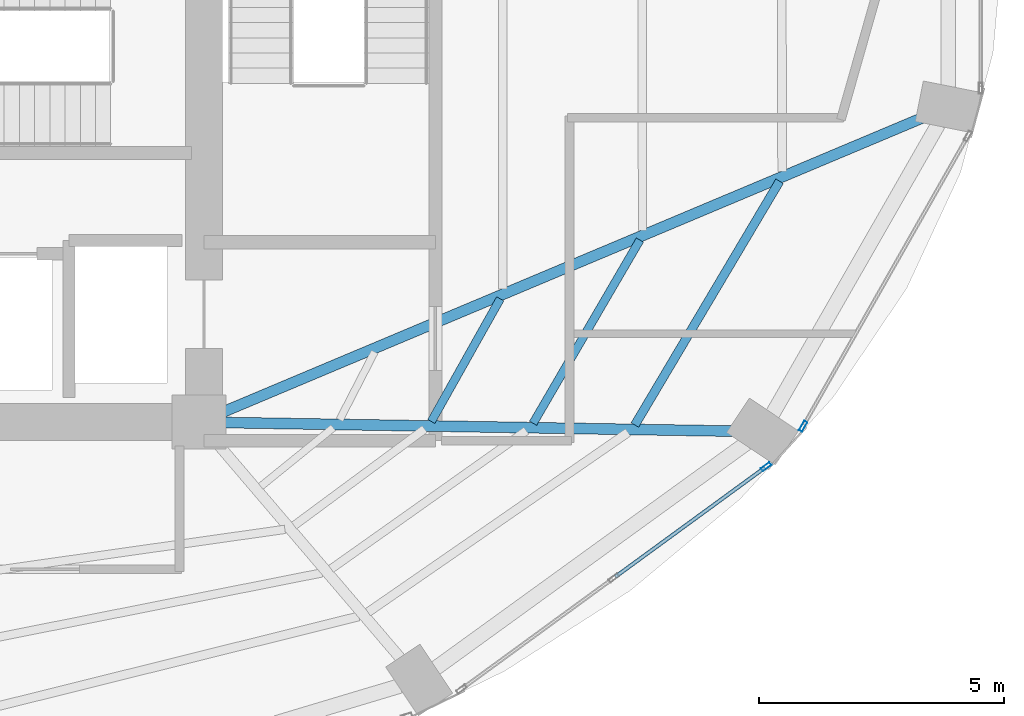
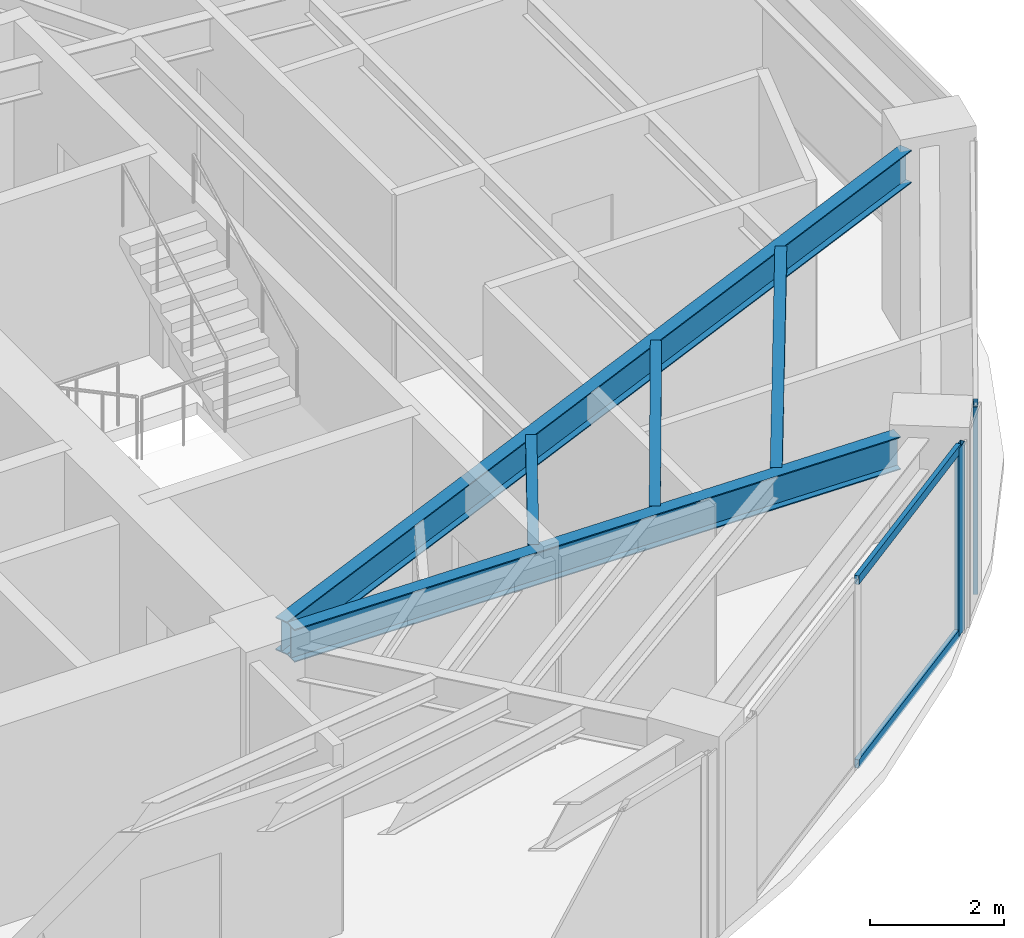
# One storey, part 11 of 23: 5 beams, 4 members, 2 elements without a shape of their own.
"""IFC4 building model written with IfcOpenShell, lengths in metres."""

from ifc_helpers import new_model, si_unit, direction, frame, origin, origin_2d, place, context, subcontext, project, spatial, hollow_rectangle, i_section, extrude, material, layer, layer_set, material_profile, profile_set, type_object, element, aggregate, save


model = new_model("IFC4")

# Units and contexts
model_context = context("Model", 3, precision=1e-05, world=origin(), true_north=direction((0.0, 1.0)))
body_context = subcontext(model_context, "Body", "Model", "MODEL_VIEW")
ifc_project = project(units=[si_unit("LENGTHUNIT", "METRE"), si_unit("AREAUNIT", "SQUARE_METRE"), si_unit("VOLUMEUNIT", "CUBIC_METRE"), si_unit("PLANEANGLEUNIT", "RADIAN"), si_unit("MASSUNIT", "GRAM", prefix="KILO")], contexts=[model_context])

# Site, building, storey
site_placement = place(None, origin())
site = spatial("IfcSite", under=ifc_project, at=site_placement, CompositionType="ELEMENT")
building_placement = place(site_placement, origin())
building = spatial("IfcBuilding", under=site, at=building_placement, Name="Lazwardi Medical Tower", CompositionType="ELEMENT")
storey_placement = place(building_placement, frame((0.0, 0.0, 107.280029296875)))
storey = spatial("IfcBuildingStorey", under=building, at=storey_placement, Name="L27", CompositionType="ELEMENT", Elevation=107.280029296875)

# Beams
ifc_material_1 = material(Name="Steel S355", Category="steel")
ifc_material_profile_1 = material_profile(ifc_material_1, i_section(OverallWidth=0.219970703125, OverallDepth=0.60009765625, WebThickness=0.011962890625, FlangeThickness=0.01904296875, at=origin_2d()), Name="IPE 600")
ifc_profile_set_1 = profile_set([ifc_material_profile_1], Name="Steel S355")
beam_type_1 = type_object("IfcBeamType", Name="BM-RG-W1", PredefinedType="BEAM", material=ifc_profile_set_1)
beam_1_placement = place(storey_placement, frame((56.497802734375, 20.215087890625, 3.1279296875), z_axis=(-0.99985616395, 0.016960289263, 0.0), x_axis=(-0.016960289263, -0.99985616395, 0.0)))
element("IfcBeam", 1, at=beam_1_placement, inside=storey, type_object=beam_type_1, Name="Radial girder RG-02 R03 L27", PredefinedType="BEAM", context=body_context, shape_type="SweptSolid", body=[
    extrude(i_section(OverallWidth=0.219970703125, OverallDepth=0.60009765625, WebThickness=0.011962890625, FlangeThickness=0.01904296875, at=origin_2d()), origin(), (0.0, 0.0, 1.0), 10.3642578125),
])
beam_2_placement = place(storey_placement, frame((60.328369140625, 26.59521484375, 3.1279296875), z_axis=(-0.921775176005, -0.38772480563, 0.0), x_axis=(0.38772480563, -0.921775176005, 0.0)))
element("IfcBeam", 2, at=beam_2_placement, inside=storey, type_object=beam_type_1, Name="Radial girder RG-02 R04 L27", PredefinedType="BEAM", context=body_context, shape_type="SweptSolid", body=[
    extrude(i_section(OverallWidth=0.219970703125, OverallDepth=0.60009765625, WebThickness=0.011962890625, FlangeThickness=0.01904296875, at=origin_2d()), origin(), (0.0, 0.0, 1.0), 15.443359375),
])
ifc_material_profile_2 = material_profile(ifc_material_1, i_section(OverallWidth=0.179931640625, OverallDepth=0.39990234375, WebThickness=0.008544921875, FlangeThickness=0.013427734375, at=origin_2d()), Name="IPE 400")
ifc_profile_set_2 = profile_set([ifc_material_profile_2], Name="Steel S355")
beam_type_2 = type_object("IfcBeamType", Name="BM-SJ-01", PredefinedType="JOIST", material=ifc_profile_set_2)
beam_3_placement = place(storey_placement, frame((54.47900390625, 20.340576171875, 3.22802734375), z_axis=(0.510499691073, 0.859877936346, 0.0), x_axis=(-0.859877936346, 0.510499691073, 0.0)))
element("IfcBeam", 3, at=beam_3_placement, inside=storey, type_object=beam_type_2, Name="Secondary joist SJ-01 R1 B03 L27", PredefinedType="JOIST", context=body_context, shape_type="SweptSolid", body=[
    extrude(i_section(OverallWidth=0.179931640625, OverallDepth=0.39990234375, WebThickness=0.008544921875, FlangeThickness=0.013427734375, at=origin_2d()), origin(), (0.0, 0.0, 1.0), 5.776123046875),
])
ifc_material_profile_3 = material_profile(ifc_material_1, i_section(OverallWidth=0.169921875, OverallDepth=0.360107421875, WebThickness=0.008056640625, FlangeThickness=0.0126953125, at=origin_2d()), Name="IPE 360")
ifc_profile_set_3 = profile_set([ifc_material_profile_3], Name="Steel S355")
beam_type_3 = type_object("IfcBeamType", Name="BM-SJ-02", PredefinedType="JOIST", material=ifc_profile_set_3)
beam_4_placement = place(storey_placement, frame((52.405517578125, 20.376220703125, 3.248046875), z_axis=(0.503544274258, 0.86396942299, 0.0), x_axis=(-0.86396942299, 0.503544274258, 0.0)))
element("IfcBeam", 4, at=beam_4_placement, inside=storey, type_object=beam_type_3, Name="Secondary joist SJ-02 R2 B03 L27", PredefinedType="JOIST", context=body_context, shape_type="SweptSolid", body=[
    extrude(i_section(OverallWidth=0.169921875, OverallDepth=0.360107421875, WebThickness=0.008056640625, FlangeThickness=0.0126953125, at=origin_2d()), origin(), (0.0, 0.0, 1.0), 4.321044921875),
])
beam_5_placement = place(storey_placement, frame((50.33154296875, 20.412109375, 3.248046875), z_axis=(0.489860824278, 0.871800649711, 0.0), x_axis=(-0.871800649711, 0.489860824278, 0.0)))
element("IfcBeam", 5, at=beam_5_placement, inside=storey, type_object=beam_type_3, Name="Secondary joist SJ-02 R3 B03 L27", PredefinedType="JOIST", context=body_context, shape_type="SweptSolid", body=[
    extrude(i_section(OverallWidth=0.169921875, OverallDepth=0.360107421875, WebThickness=0.008056640625, FlangeThickness=0.0126953125, at=origin_2d()), origin(), (0.0, 0.0, 1.0), 2.8662109375),
])

# Curtain wall, member
ifc_material_2 = material(Name="Anodised bronze aluminium and solar control glazing", Category="aluminium")
ifc_layer = layer(ifc_material_2, 0.195068359375)
ifc_layer_set = layer_set([ifc_layer], Name="Anodised bronze aluminium and solar control glazing")
curtain_wall_type = type_object("IfcCurtainWallType", Name="CW-SYS-03", PredefinedType="NOTDEFINED", material=ifc_layer_set)
curtain_wall_1_placement = place(storey_placement, origin())
curtain_wall_1 = element("IfcCurtainWall", 6, at=curtain_wall_1_placement, inside=storey, type_object=curtain_wall_type, Name="L27 Unitised bronze curtain wall CW-03", PredefinedType="NOTDEFINED")
ifc_material_3 = material(Name="Anodised bronze aluminium", Category="aluminium")
ifc_material_profile_4 = material_profile(ifc_material_3, hollow_rectangle(XDim=0.074951171875, YDim=0.219970703125, WallThickness=0.00390625, at=origin_2d()), Name="ALU-MULLION 220x75x4")
ifc_profile_set_4 = profile_set([ifc_material_profile_4], Name="Anodised bronze aluminium")
member_type_1 = type_object("IfcMemberType", Name="CW-MUL-01", PredefinedType="MULLION", material=ifc_profile_set_4)
member_1_placement = place(storey_placement, frame((57.155029296875, 19.4912109375, 0.0), z_axis=(0.0, 0.0, 1.0), x_axis=(-0.589530882802, 0.807745837639, 0.0)))
member_1 = element("IfcMember", 7, at=member_1_placement, type_object=member_type_1, Name="CW-03 mullion 3", PredefinedType="MULLION", context=body_context, shape_type="SweptSolid", body=[
    extrude(hollow_rectangle(XDim=0.074951171875, YDim=0.219970703125, WallThickness=0.00390625, at=origin_2d()), origin(), (0.0, 0.0, 1.0), 3.427978515625),
])

curtain_wall_2_placement = place(storey_placement, origin())
curtain_wall_2 = element("IfcCurtainWall", 8, at=curtain_wall_2_placement, inside=storey, type_object=curtain_wall_type, Name="L27 Unitised bronze curtain wall CW-03", PredefinedType="NOTDEFINED")
member_2_placement = place(storey_placement, frame((57.9072265625, 20.314208984375, 0.0), z_axis=(0.0, 0.0, 1.0), x_axis=(-0.869687265712, 0.493603140041, 0.0)))
member_2 = element("IfcMember", 9, at=member_2_placement, type_object=member_type_1, Name="CW-03 mullion 1", PredefinedType="MULLION", context=body_context, shape_type="SweptSolid", body=[
    extrude(hollow_rectangle(XDim=0.074951171875, YDim=0.219970703125, WallThickness=0.00390625, at=origin_2d()), origin(), (0.0, 0.0, 1.0), 3.427978515625),
])
aggregate(curtain_wall_2, [member_2])

# Member
ifc_material_profile_5 = material_profile(ifc_material_3, hollow_rectangle(XDim=0.074951171875, YDim=0.159912109375, WallThickness=0.00390625, at=origin_2d()), Name="ALU-TRANSOM 160x75x4")
ifc_profile_set_5 = profile_set([ifc_material_profile_5], Name="Anodised bronze aluminium")
member_type_2 = type_object("IfcMemberType", Name="CW-TRN-01", PredefinedType="USERDEFINED", material=ifc_profile_set_5)
member_3_placement = place(storey_placement, frame((54.081298828125, 17.247802734375, 0.037353515625), z_axis=(0.807731734271, 0.589550206049, 0.0), x_axis=(-0.589550206049, 0.807731734271, 0.0)))
member_3 = element("IfcMember", 10, at=member_3_placement, type_object=member_type_2, Name="CW-03 transom 2.1", ObjectType="TRANSOM", PredefinedType="USERDEFINED", context=body_context, shape_type="SweptSolid", body=[
    extrude(hollow_rectangle(XDim=0.074951171875, YDim=0.159912109375, WallThickness=0.00390625, at=origin_2d()), origin(), (0.0, 0.0, 1.0), 3.767578125),
])

member_4_placement = place(storey_placement, frame((54.081298828125, 17.247802734375, 3.390380859375), z_axis=(0.807731734271, 0.589550206049, 0.0), x_axis=(-0.589550206049, 0.807731734271, 0.0)))
member_4 = element("IfcMember", 11, at=member_4_placement, type_object=member_type_2, Name="CW-03 transom 2.2", ObjectType="TRANSOM", PredefinedType="USERDEFINED", context=body_context, shape_type="SweptSolid", body=[
    extrude(hollow_rectangle(XDim=0.074951171875, YDim=0.159912109375, WallThickness=0.00390625, at=origin_2d()), origin(), (0.0, 0.0, 1.0), 3.767578125),
])

aggregate(curtain_wall_1, [member_1, member_3, member_4])

save(model, "model.ifc")
